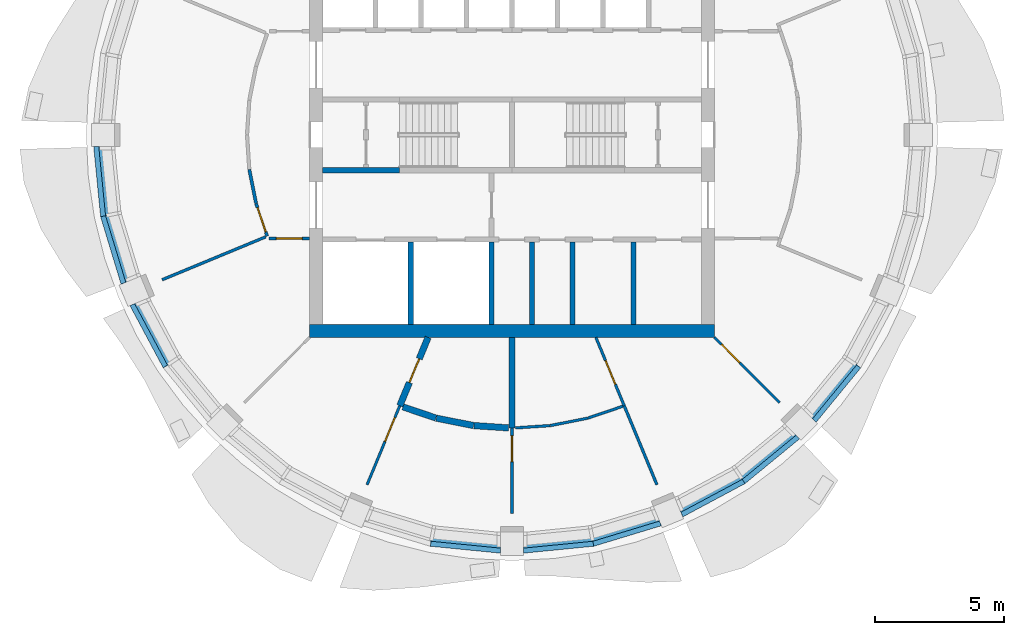
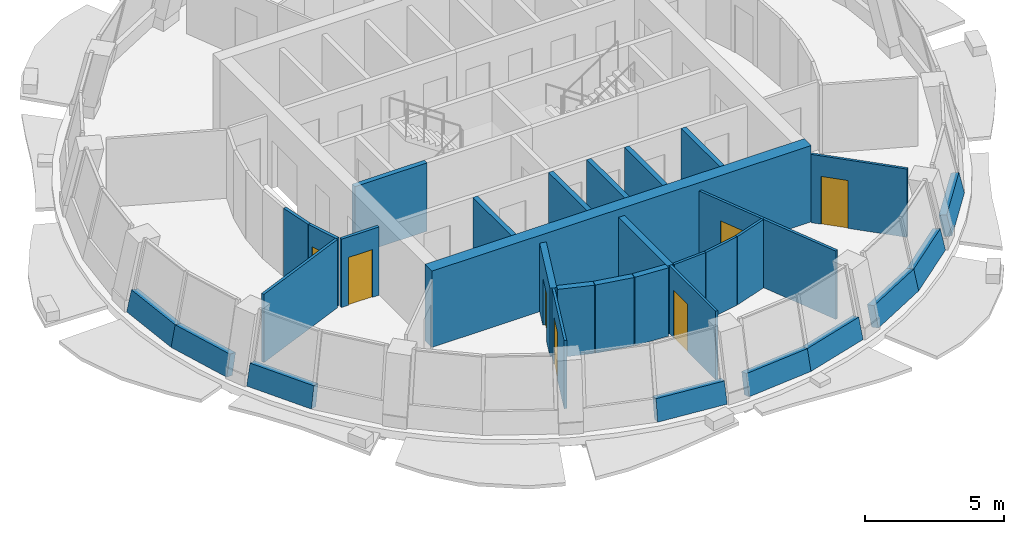
# One storey, part 4 of 11: 33 walls, 7 doors, 7 openings.
"""IFC4 building model written with IfcOpenShell, lengths in metres."""

from ifc_helpers import new_model, si_unit, direction, frame, frame_2d, origin, place, context, subcontext, project, spatial, polyline, rectangle, outline, extrude, material, layer, layer_set, type_object, element, fill, save


model = new_model("IFC4")

# Units and contexts
model_context = context("Model", 3, precision=1e-05, world=origin(), true_north=direction((0.0, 1.0)))
body_context = subcontext(model_context, "Body", "Model", "MODEL_VIEW")
ifc_project = project(units=[si_unit("LENGTHUNIT", "METRE"), si_unit("AREAUNIT", "SQUARE_METRE"), si_unit("VOLUMEUNIT", "CUBIC_METRE"), si_unit("PLANEANGLEUNIT", "RADIAN"), si_unit("MASSUNIT", "GRAM", prefix="KILO")], contexts=[model_context])

# Site, building, storey
site_placement = place(None, origin())
site = spatial("IfcSite", under=ifc_project, at=site_placement, CompositionType="ELEMENT")
building_placement = place(site_placement, origin())
building = spatial("IfcBuilding", under=site, at=building_placement, Name="Polderwave Tower", CompositionType="ELEMENT")
storey_placement = place(building_placement, frame((0.0, 0.0, 214.449951171875)))
storey = spatial("IfcBuildingStorey", under=building, at=storey_placement, Name="L58", CompositionType="ELEMENT", Elevation=214.449951171875)

# Walls
ifc_material_1 = material(Name="Concrete C60/75", Category="concrete")
ifc_layer_1 = layer(ifc_material_1, 0.5)
ifc_layer_set_1 = layer_set([ifc_layer_1], Name="CORE WALL 500 C60/75")
wall_type_1 = type_object("IfcWallType", Name="CORE WALL 500 C60/75", PredefinedType="SHEAR", material=ifc_layer_set_1)
wall_1_placement = place(storey_placement, frame((-7.8740234375, -7.6240234375, 0.0), z_axis=(0.0, 0.0, 1.0), x_axis=(1.0, 0.0, 0.0)))
element("IfcWall", 1, at=wall_1_placement, inside=storey, type_object=wall_type_1, Name="ST-CORE-L58-S", PredefinedType="SHEAR", context=body_context, shape_type="SweptSolid", body=[
    extrude(rectangle(XDim=15.748046875, YDim=0.5, at=frame_2d((7.8740234375, 0.0))), origin(), (0.0, 0.0, 1.0), 3.35009765625),
])
ifc_material_2 = material(Name="Concrete C50/60 (board-marked)", Category="concrete")
ifc_layer_2 = layer(ifc_material_2, 0.300048828125)
ifc_layer_set_2 = layer_set([ifc_layer_2], Name="Concrete spandrel upstand C50/60")
wall_type_2 = type_object("IfcWallType", Name="Concrete spandrel upstand C50/60", PredefinedType="SOLIDWALL", material=ifc_layer_set_2)
wall_2_placement = place(storey_placement, frame((-16.260986328125, -0.452880859375, 0.0), z_axis=(-0.972475963284, -0.095823605844, 0.212387234548), x_axis=(0.098059870947, -0.995180517138, -4.32304e-06)))
element("IfcWall", 2, at=wall_2_placement, inside=storey, type_object=wall_type_2, Name="Spandrel L58 9a", PredefinedType="SOLIDWALL", context=body_context, shape_type="SweptSolid", body=[
    extrude(outline(polyline([(0.0, 0.0), (2.741723969103409, -1.3877787807814457e-17), (2.72248764532599, 0.9211743091072553), (0.01926812916566697, 0.9211502208366106), (0.0, 0.0)])), origin(), (0.0, 0.0, -1.0), 0.300048828125),
])
wall_3_placement = place(storey_placement, frame((-15.9921875, -3.181396484375, 0.0), z_axis=(-0.935080384239, -0.283705614751, 0.212451874952), x_axis=(0.29033326808, -0.956925594519, -1.036426e-06)))
element("IfcWall", 3, at=wall_3_placement, inside=storey, type_object=wall_type_2, Name="Spandrel L58 9b", PredefinedType="SOLIDWALL", context=body_context, shape_type="SweptSolid", body=[
    extrude(outline(polyline([(0.0, 0.0), (2.7413701091415827, 0.0), (2.721915548947118, 0.9211783980205197), (0.019316929233884256, 0.921172623937655), (0.0, 0.0)])), origin(), (0.0, 0.0, -1.0), 0.300048828125),
])
wall_4_placement = place(storey_placement, frame((-14.850341796875, -6.640869140625, 0.0), z_axis=(-0.861652072417, -0.460882647705, 0.212468565072), x_axis=(0.471651621526, -0.881784978275, 9.49098e-07)))
element("IfcWall", 4, at=wall_4_placement, inside=storey, type_object=wall_type_2, Name="Spandrel L58 10a", PredefinedType="SOLIDWALL", context=body_context, shape_type="SweptSolid", body=[
    extrude(outline(polyline([(0.0, 0.0), (2.7418591989936596, 2.7755575615628914e-17), (2.7227801463709156, 0.9211762873854703), (0.019696281501502436, 0.9211815759173496), (0.0, 0.0)])), origin(), (0.0, 0.0, -1.0), 0.300048828125),
])
wall_5_placement = place(storey_placement, frame((-3.181396484375, -15.9921875, 0.0), z_axis=(-0.095777528292, -0.972452991972, 0.212513160717), x_axis=(0.995184694371, -0.098017468169, -4.940706e-06)))
element("IfcWall", 5, at=wall_5_placement, inside=storey, type_object=wall_type_2, Name="Spandrel L58 12b", PredefinedType="SOLIDWALL", context=body_context, shape_type="SweptSolid", body=[
    extrude(outline(polyline([(0.0, 0.0), (2.7417239689303967, 6.938893903907228e-18), (2.7224319045439445, 0.9212018391941157), (0.019236323432608737, 0.921174308599514), (0.0, 0.0)])), origin(), (0.0, 0.0, -1.0), 0.300048828125),
])
wall_6_placement = place(storey_placement, frame((0.452880859375, -16.260986328125, 0.0), z_axis=(0.095823605844, -0.972475963284, 0.212387234548), x_axis=(0.995180517138, 0.098059870947, -4.32304e-06)))
element("IfcWall", 6, at=wall_6_placement, inside=storey, type_object=wall_type_2, Name="Spandrel L58 13a", PredefinedType="SOLIDWALL", context=body_context, shape_type="SweptSolid", body=[
    extrude(outline(polyline([(0.0, 0.0), (2.741723969103409, -1.3877787807814457e-17), (2.72248764532599, 0.9211743091072553), (0.01926812916566697, 0.9211502208366106), (0.0, 0.0)])), origin(), (0.0, 0.0, -1.0), 0.300048828125),
])
wall_7_placement = place(storey_placement, frame((3.181396484375, -15.9921875, 0.0), z_axis=(0.283705614751, -0.935080384239, 0.212451874952), x_axis=(0.956925594519, 0.29033326808, -1.036426e-06)))
element("IfcWall", 7, at=wall_7_placement, inside=storey, type_object=wall_type_2, Name="Spandrel L58 13b", PredefinedType="SOLIDWALL", context=body_context, shape_type="SweptSolid", body=[
    extrude(outline(polyline([(0.0, 0.0), (2.7413701091415827, 0.0), (2.721915548947118, 0.9211783980205197), (0.019316929233884256, 0.921172623937655), (0.0, 0.0)])), origin(), (0.0, 0.0, -1.0), 0.300048828125),
])
wall_8_placement = place(storey_placement, frame((6.640869140625, -14.850341796875, 0.0), z_axis=(0.460882647705, -0.861652072417, 0.212468565072), x_axis=(0.881784978275, 0.471651621526, 9.49098e-07)))
element("IfcWall", 8, at=wall_8_placement, inside=storey, type_object=wall_type_2, Name="Spandrel L58 14a", PredefinedType="SOLIDWALL", context=body_context, shape_type="SweptSolid", body=[
    extrude(outline(polyline([(0.0, 0.0), (2.7418591989936596, 2.7755575615628914e-17), (2.7227801463709156, 0.9211762873854703), (0.019696281501502436, 0.9211815759173496), (0.0, 0.0)])), origin(), (0.0, 0.0, -1.0), 0.300048828125),
])
wall_9_placement = place(storey_placement, frame((9.05859375, -13.55712890625, 0.0), z_axis=(0.619786234014, -0.755471298397, 0.212433851881), x_axis=(0.77311744184, 0.634262895906, -6.31883e-07)))
element("IfcWall", 9, at=wall_9_placement, inside=storey, type_object=wall_type_2, Name="Spandrel L58 14b", PredefinedType="SOLIDWALL", context=body_context, shape_type="SweptSolid", body=[
    extrude(outline(polyline([(0.0, 0.0), (2.741026727762195, 5.551115123125783e-17), (2.721891888042317, 0.9211735773781955), (0.019377518066993598, 0.9211700573549708), (0.0, 0.0)])), origin(), (0.0, 0.0, -1.0), 0.300048828125),
])
wall_10_placement = place(storey_placement, frame((11.818603515625, -11.177734375, 0.0), z_axis=(0.755475436425, -0.619753676079, 0.21251410764), x_axis=(0.6342418971, 0.773134668693, -5.274869e-06)))
element("IfcWall", 10, at=wall_10_placement, inside=storey, type_object=wall_type_2, Name="Spandrel L58 15a", PredefinedType="SOLIDWALL", context=body_context, shape_type="SweptSolid", body=[
    extrude(outline(polyline([(0.0, 0.0), (2.741026726929954, 0.0), (2.7218379603471505, 0.9212029611358797), (0.01913483806120599, 0.9211735749362499), (0.0, 0.0)])), origin(), (0.0, 0.0, -1.0), 0.300048828125),
])
ifc_material_3 = material(Name="Gypsum board partition")
ifc_layer_3 = layer(ifc_material_3, 0.199951171875)
ifc_layer_set_3 = layer_set([ifc_layer_3], Name="Core room partition 200")
wall_type_3 = type_object("IfcWallType", Name="Core room partition 200", PredefinedType="PARTITIONING", material=ifc_layer_set_3)
for number, where, z_axis, x_axis, name in (
    (11, (0.77685546875, -7.3740234375, 0.0), (0.0, 0.0, 1.0), (0.0, 1.0, 0.0), "L58 room partition S1"),
    (12, (2.353515625, -7.3740234375, 0.0), (0.0, 0.0, 1.0), (0.0, 1.0, 0.0), "L58 room partition S2"),
    (13, (4.717041015625, -7.3740234375, 0.0), (0.0, 0.0, 1.0), (0.0, 1.0, 0.0), "L58 room partition S3"),
):
    element("IfcWall", number, at=place(storey_placement, frame(where, z_axis=z_axis, x_axis=x_axis)), inside=storey, type_object=wall_type_3, Name=name, PredefinedType="PARTITIONING", context=body_context, shape_type="SweptSolid", body=[
        extrude(rectangle(XDim=3.199951171875, YDim=0.199951171875, at=frame_2d((1.60009765625, 0.0))), origin(), (0.0, 0.0, 1.0), 3.0),
    ])
ifc_material_4 = material(Name="Concrete C50/60", Category="concrete")
ifc_layer_4 = layer(ifc_material_4, 0.199951171875)
ifc_layer_set_4 = layer_set([ifc_layer_4], Name="Core web wall 200")
wall_type_4 = type_object("IfcWallType", Name="Core web wall 200", PredefinedType="SHEAR", material=ifc_layer_set_4)
wall_11_placement = place(storey_placement, frame((-7.3740234375, -1.375, 0.0), z_axis=(0.0, 0.0, 1.0), x_axis=(1.0, 0.0, 0.0)))
element("IfcWall", 14, at=wall_11_placement, inside=storey, type_object=wall_type_4, Name="L58 south stair wall 1", PredefinedType="SHEAR", context=body_context, shape_type="SweptSolid", body=[
    extrude(rectangle(XDim=3.0, YDim=0.199951171875, at=frame_2d((1.5, 0.0))), origin(), (0.0, 0.0, 1.0), 3.0),
])
ifc_material_5 = material(Name="Fire-resisting board on steel studs", Category="steel")
ifc_layer_5 = layer(ifc_material_5, 0.125)
ifc_layer_set_5 = layer_set([ifc_layer_5], Name="Corridor wall 125 mm EI 60")
wall_type_5 = type_object("IfcWallType", Name="Corridor wall 125 mm EI 60", PredefinedType="PARTITIONING", material=ifc_layer_set_5)
wall_12_placement = place(storey_placement, frame((-9.94970703125, -2.661865234375, 0.0), z_axis=(0.0, 0.0, 1.0), x_axis=(-0.195239630967, 0.980755569191, 0.0)))
element("IfcWall", 15, at=wall_12_placement, inside=storey, type_object=wall_type_5, Name="IN-L58-W013", PredefinedType="PARTITIONING", context=body_context, shape_type="SweptSolid", body=[
    extrude(rectangle(XDim=1.33935546875, YDim=0.125, at=frame_2d((0.669677734375, 0.0))), origin(), (0.0, 0.0, 1.0), 3.0),
])

# Wall, opening, door
wall_13_placement = place(storey_placement, frame((-9.51611328125, -3.941650390625, 0.0), z_axis=(0.0, 0.0, 1.0), x_axis=(-0.321348735565, 0.946960923244, 0.0)))
wall_13 = element("IfcWall", 16, at=wall_13_placement, inside=storey, type_object=wall_type_5, Name="IN-L58-W015", PredefinedType="PARTITIONING", context=body_context, shape_type="SweptSolid", body=[
    extrude(rectangle(XDim=1.34326171875, YDim=0.125, at=frame_2d((0.671630859375, 0.0))), origin(), (0.0, 0.0, 1.0), 3.0),
])
opening_1_placement = place(wall_13_placement, frame((0.171630859375, 0.0, 0.0)))
opening_1 = element("IfcOpeningElement", 17, at=opening_1_placement, cuts=wall_13, Name="Opening L58-D54", PredefinedType="OPENING", context=body_context, shape_type="SweptSolid", body=[
    extrude(rectangle(XDim=1.0, YDim=2.10009765625, at=frame_2d((0.5, 1.050048828125))), frame((0.0, 0.072509765625, 0.0), z_axis=(0.0, -1.0, 0.0), x_axis=(1.0, 0.0, 0.0)), (0.0, 0.0, 1.0), 0.14501953125),
])
ifc_material_6 = material(Name="Timber fire door leaf", Category="wood")
door_type_1 = type_object("IfcDoorType", Name="Fire door FD30S 1000 x 2100", OperationType="NOTDEFINED", PredefinedType="DOOR", material=ifc_material_6)
door_1_placement = place(opening_1_placement, origin())
door_1 = element("IfcDoor", 18, at=door_1_placement, inside=storey, type_object=door_type_1, Name="Door L58-D54", OperationType="SINGLE_SWING_LEFT", OverallHeight=2.10009765625, OverallWidth=1.0, PredefinedType="DOOR", context=body_context, shape_type="SweptSolid", body=[
    extrude(rectangle(XDim=1.0, YDim=2.10009765625, at=frame_2d((0.5, 1.050048828125))), frame((0.0, 0.02490234375, 0.0), z_axis=(0.0, -1.0, 0.0), x_axis=(1.0, 0.0, 0.0)), (0.0, 0.0, 1.0), 0.050048828125),
])
fill(opening_1, door_1)

wall_14_placement = place(storey_placement, frame((-7.8740234375, -4.0244140625, 0.0), z_axis=(0.0, 0.0, 1.0), x_axis=(-1.0, 0.0, 0.0)))
wall_14 = element("IfcWall", 19, at=wall_14_placement, inside=storey, type_object=wall_type_5, Name="IN-L58-W016", PredefinedType="PARTITIONING", context=body_context, shape_type="SweptSolid", body=[
    extrude(rectangle(XDim=1.562255859375, YDim=0.125, at=frame_2d((0.78125, 0.0))), origin(), (0.0, 0.0, 1.0), 3.0),
])
opening_2_placement = place(wall_14_placement, frame((0.281005859375, 0.0, 0.0)))
opening_2 = element("IfcOpeningElement", 20, at=opening_2_placement, cuts=wall_14, Name="Opening L58-D55", PredefinedType="OPENING", context=body_context, shape_type="SweptSolid", body=[
    extrude(rectangle(XDim=1.0, YDim=2.10009765625, at=frame_2d((0.5, 1.050048828125))), frame((0.0, 0.072509765625, 0.0), z_axis=(0.0, -1.0, 0.0), x_axis=(1.0, 0.0, 0.0)), (0.0, 0.0, 1.0), 0.14501953125),
])
door_2_placement = place(opening_2_placement, origin())
door_2 = element("IfcDoor", 21, at=door_2_placement, inside=storey, type_object=door_type_1, Name="Door L58-D55", OperationType="SINGLE_SWING_LEFT", OverallHeight=2.10009765625, OverallWidth=1.0, PredefinedType="DOOR", context=body_context, shape_type="SweptSolid", body=[
    extrude(rectangle(XDim=1.0, YDim=2.10009765625, at=frame_2d((0.5, 1.050048828125))), frame((0.0, 0.02490234375, 0.0), z_axis=(0.0, -1.0, 0.0), x_axis=(1.0, 0.0, 0.0)), (0.0, 0.0, 1.0), 0.050048828125),
])
fill(opening_2, door_2)

ifc_material_7 = material(Name="Plasterboard on steel studs", Category="steel")
ifc_layer_6 = layer(ifc_material_7, 0.10009765625)
ifc_layer_set_6 = layer_set([ifc_layer_6], Name="Partition 100 mm plasterboard on steel studs")
wall_type_6 = type_object("IfcWallType", Name="Partition 100 mm plasterboard on steel studs", PredefinedType="PARTITIONING", material=ifc_layer_set_6)
wall_15_placement = place(storey_placement, frame((-4.362548828125, -10.5322265625, 0.0), z_axis=(0.0, 0.0, 1.0), x_axis=(-0.382672184924, -0.923884191274, 0.0)))
wall_15 = element("IfcWall", 22, at=wall_15_placement, inside=storey, type_object=wall_type_6, Name="IN-L58-W042", PredefinedType="PARTITIONING", context=body_context, shape_type="SweptSolid", body=[
    extrude(rectangle(XDim=3.320068359375, YDim=0.10009765625, at=frame_2d((1.66015625, 0.0))), origin(), (0.0, 0.0, 1.0), 3.0),
])
opening_3_placement = place(wall_15_placement, frame((0.5, 0.0, 0.0)))
opening_3 = element("IfcOpeningElement", 23, at=opening_3_placement, cuts=wall_15, Name="Opening L58-D63", PredefinedType="OPENING", context=body_context, shape_type="SweptSolid", body=[
    extrude(rectangle(XDim=1.0, YDim=2.10009765625, at=frame_2d((0.5, 1.050048828125))), frame((0.0, 0.06005859375, 0.0), z_axis=(0.0, -1.0, 0.0), x_axis=(1.0, 0.0, 0.0)), (0.0, 0.0, 1.0), 0.1201171875),
])
ifc_material_8 = material(Name="Timber veneer door leaf", Category="wood")
door_type_2 = type_object("IfcDoorType", Name="Single door 1000 x 2100", OperationType="NOTDEFINED", PredefinedType="DOOR", material=ifc_material_8)
door_3_placement = place(opening_3_placement, origin())
door_3 = element("IfcDoor", 24, at=door_3_placement, inside=storey, type_object=door_type_2, Name="Door L58-D63", OperationType="SINGLE_SWING_LEFT", OverallHeight=2.10009765625, OverallWidth=1.0, PredefinedType="DOOR", context=body_context, shape_type="SweptSolid", body=[
    extrude(rectangle(XDim=1.0, YDim=2.10009765625, at=frame_2d((0.5, 1.050048828125))), frame((0.0, 0.02490234375, 0.0), z_axis=(0.0, -1.0, 0.0), x_axis=(1.0, 0.0, 0.0)), (0.0, 0.0, 1.0), 0.050048828125),
])
fill(opening_3, door_3)

wall_16_placement = place(storey_placement, frame((0.0, -11.39990234375, 0.0), z_axis=(0.0, 0.0, 1.0), x_axis=(0.0, -1.0, 0.0)))
wall_16 = element("IfcWall", 25, at=wall_16_placement, inside=storey, type_object=wall_type_6, Name="IN-L58-W043", PredefinedType="PARTITIONING", context=body_context, shape_type="SweptSolid", body=[
    extrude(rectangle(XDim=3.320068359375, YDim=0.10009765625, at=frame_2d((1.66015625, 0.0))), origin(), (0.0, 0.0, 1.0), 3.0),
])
opening_4_placement = place(wall_16_placement, frame((0.300048828125, 0.0, 0.0)))
opening_4 = element("IfcOpeningElement", 26, at=opening_4_placement, cuts=wall_16, Name="Opening L58-D64", PredefinedType="OPENING", context=body_context, shape_type="SweptSolid", body=[
    extrude(rectangle(XDim=1.0, YDim=2.10009765625, at=frame_2d((0.5, 1.050048828125))), frame((0.0, 0.06005859375, 0.0), z_axis=(0.0, -1.0, 0.0), x_axis=(1.0, 0.0, 0.0)), (0.0, 0.0, 1.0), 0.1201171875),
])
door_4_placement = place(opening_4_placement, origin())
door_4 = element("IfcDoor", 27, at=door_4_placement, inside=storey, type_object=door_type_2, Name="Door L58-D64", OperationType="SINGLE_SWING_LEFT", OverallHeight=2.10009765625, OverallWidth=1.0, PredefinedType="DOOR", context=body_context, shape_type="SweptSolid", body=[
    extrude(rectangle(XDim=1.0, YDim=2.10009765625, at=frame_2d((0.5, 1.050048828125))), frame((0.0, 0.02490234375, 0.0), z_axis=(0.0, -1.0, 0.0), x_axis=(1.0, 0.0, 0.0)), (0.0, 0.0, 1.0), 0.050048828125),
])
fill(opening_4, door_4)

wall_17_placement = place(storey_placement, frame((10.40869140625, -10.40869140625, 0.0), z_axis=(0.0, 0.0, 1.0), x_axis=(-0.707106781187, 0.707106781187, 0.0)))
wall_17 = element("IfcWall", 28, at=wall_17_placement, inside=storey, type_object=wall_type_6, Name="IN-L58-W049", PredefinedType="PARTITIONING", context=body_context, shape_type="SweptSolid", body=[
    extrude(rectangle(XDim=3.58447265625, YDim=0.10009765625, at=frame_2d((1.792236328125, 0.0))), origin(), (0.0, 0.0, 1.0), 3.0),
])
opening_5_placement = place(wall_17_placement, frame((2.199951171875, 0.0, 0.0)))
opening_5 = element("IfcOpeningElement", 29, at=opening_5_placement, cuts=wall_17, Name="Opening L58-D66", PredefinedType="OPENING", context=body_context, shape_type="SweptSolid", body=[
    extrude(rectangle(XDim=1.0, YDim=2.10009765625, at=frame_2d((0.5, 1.050048828125))), frame((0.0, 0.06005859375, 0.0), z_axis=(0.0, -1.0, 0.0), x_axis=(1.0, 0.0, 0.0)), (0.0, 0.0, 1.0), 0.1201171875),
])
door_5_placement = place(opening_5_placement, origin())
door_5 = element("IfcDoor", 30, at=door_5_placement, inside=storey, type_object=door_type_2, Name="Door L58-D66", OperationType="SINGLE_SWING_RIGHT", OverallHeight=2.10009765625, OverallWidth=1.0, PredefinedType="DOOR", context=body_context, shape_type="SweptSolid", body=[
    extrude(rectangle(XDim=1.0, YDim=2.10009765625, at=frame_2d((0.5, 1.050048828125))), frame((0.0, 0.02490234375, 0.0), z_axis=(0.0, -1.0, 0.0), x_axis=(1.0, 0.0, 0.0)), (0.0, 0.0, 1.0), 0.050048828125),
])
fill(opening_5, door_5)

# Walls
ifc_material_9 = material(Name="Moisture-resistant board on steel studs, tiled", Category="steel")
ifc_layer_7 = layer(ifc_material_9, 0.10498046875)
ifc_layer_set_7 = layer_set([ifc_layer_7], Name="Partition 105 mm wet room board and tile")
wall_type_7 = type_object("IfcWallType", Name="Partition 105 mm wet room board and tile", PredefinedType="PARTITIONING", material=ifc_layer_set_7)
wall_18_placement = place(storey_placement, frame((1.484619140625, -11.302734375, 0.0), z_axis=(0.0, 0.0, 1.0), x_axis=(-0.997860024345, -0.065386327428, 0.0)))
element("IfcWall", 31, at=wall_18_placement, inside=storey, type_object=wall_type_7, Name="IN-L58-W044", PredefinedType="PARTITIONING", context=body_context, shape_type="SweptSolid", body=[
    extrude(rectangle(XDim=1.359130859375, YDim=0.10498046875, at=frame_2d((0.6796875, 0.0))), origin(), (0.0, 0.0, 1.0), 3.0),
])
wall_19_placement = place(storey_placement, frame((2.947021484375, -11.01220703125, 0.0), z_axis=(0.0, 0.0, 1.0), x_axis=(-0.980782621603, -0.195103688229, 0.0)))
element("IfcWall", 32, at=wall_19_placement, inside=storey, type_object=wall_type_7, Name="IN-L58-W045", PredefinedType="PARTITIONING", context=body_context, shape_type="SweptSolid", body=[
    extrude(rectangle(XDim=1.484130859375, YDim=0.10498046875, at=frame_2d((0.7421875, 0.0))), origin(), (0.0, 0.0, 1.0), 3.0),
])
wall_20_placement = place(storey_placement, frame((4.30712890625, -10.551025390625, 0.0), z_axis=(0.0, 0.0, 1.0), x_axis=(-0.946909066327, -0.321501508719, 0.0)))
element("IfcWall", 33, at=wall_20_placement, inside=storey, type_object=wall_type_7, Name="IN-L58-W046", PredefinedType="PARTITIONING", context=body_context, shape_type="SweptSolid", body=[
    extrude(rectangle(XDim=1.42919921875, YDim=0.10498046875, at=frame_2d((0.714599609375, 0.0))), origin(), (0.0, 0.0, 1.0), 3.0),
])

# Wall, opening, door
wall_21_placement = place(storey_placement, frame((4.362548828125, -10.5322265625, 0.0), z_axis=(0.0, 0.0, 1.0), x_axis=(-0.382686527355, 0.923878250519, 0.0)))
wall_21 = element("IfcWall", 34, at=wall_21_placement, inside=storey, type_object=wall_type_7, Name="IN-L58-W047", PredefinedType="PARTITIONING", context=body_context, shape_type="SweptSolid", body=[
    extrude(rectangle(XDim=2.877197265625, YDim=0.10498046875, at=frame_2d((1.4384765625, 0.0))), origin(), (0.0, 0.0, 1.0), 3.0),
])
opening_6_placement = place(wall_21_placement, frame((0.89990234375, 0.0, 0.0)))
opening_6 = element("IfcOpeningElement", 35, at=opening_6_placement, cuts=wall_21, Name="Opening L58-D65", PredefinedType="OPENING", context=body_context, shape_type="SweptSolid", body=[
    extrude(rectangle(XDim=1.0, YDim=2.10009765625, at=frame_2d((0.5, 1.050048828125))), frame((0.0, 0.0625, 0.0), z_axis=(0.0, -1.0, 0.0), x_axis=(1.0, 0.0, 0.0)), (0.0, 0.0, 1.0), 0.125),
])
door_6_placement = place(opening_6_placement, origin())
door_6 = element("IfcDoor", 36, at=door_6_placement, inside=storey, type_object=door_type_2, Name="Door L58-D65", OperationType="SINGLE_SWING_LEFT", OverallHeight=2.10009765625, OverallWidth=1.0, PredefinedType="DOOR", context=body_context, shape_type="SweptSolid", body=[
    extrude(rectangle(XDim=1.0, YDim=2.10009765625, at=frame_2d((0.5, 1.050048828125))), frame((0.0, 0.02490234375, 0.0), z_axis=(0.0, -1.0, 0.0), x_axis=(1.0, 0.0, 0.0)), (0.0, 0.0, 1.0), 0.050048828125),
])
fill(opening_6, door_6)

# Walls
ifc_material_10 = material(Name="Acoustic double plasterboard on steel studs", Category="steel")
ifc_layer_8 = layer(ifc_material_10, 0.110107421875)
ifc_layer_set_8 = layer_set([ifc_layer_8], Name="Partition 110 mm acoustic double board")
wall_type_8 = type_object("IfcWallType", Name="Partition 110 mm acoustic double board", PredefinedType="PARTITIONING", material=ifc_layer_set_8)
wall_22_placement = place(storey_placement, frame((-9.5771484375, -3.967041015625, 0.0), z_axis=(0.0, 0.0, 1.0), x_axis=(-0.923891083487, -0.382655544654, 0.0)))
element("IfcWall", 37, at=wall_22_placement, inside=storey, type_object=wall_type_8, Name="IN-L58-W035", PredefinedType="PARTITIONING", context=body_context, shape_type="SweptSolid", body=[
    extrude(rectangle(XDim=4.353759765625, YDim=0.110107421875, at=frame_2d((2.1767578125, 0.0))), origin(), (0.0, 0.0, 1.0), 3.0),
])
wall_23_placement = place(storey_placement, frame((4.362548828125, -10.5322265625, 0.0), z_axis=(0.0, 0.0, 1.0), x_axis=(0.382672184924, -0.923884191274, 0.0)))
element("IfcWall", 38, at=wall_23_placement, inside=storey, type_object=wall_type_8, Name="IN-L58-W048", PredefinedType="PARTITIONING", context=body_context, shape_type="SweptSolid", body=[
    extrude(rectangle(XDim=3.320068359375, YDim=0.110107421875, at=frame_2d((1.66015625, 0.0))), origin(), (0.0, 0.0, 1.0), 3.0),
])
ifc_material_11 = material(Name="Fire-resisting board on steel studs, mineral wool", Category="steel")
ifc_layer_9 = layer(ifc_material_11, 0.25)
ifc_layer_set_9 = layer_set([ifc_layer_9], Name="Plant room wall 250 mm EI 120")
wall_type_9 = type_object("IfcWallType", Name="Plant room wall 250 mm EI 120", PredefinedType="PARTITIONING", material=ifc_layer_set_9)
wall_24_placement = place(storey_placement, frame((-2.958251953125, -11.009033203125, 0.0), z_axis=(0.0, 0.0, 1.0), x_axis=(-0.946913805822, 0.321487549283, 0.0)))
element("IfcWall", 39, at=wall_24_placement, inside=storey, type_object=wall_type_9, Name="IN-L58-W037", PredefinedType="PARTITIONING", context=body_context, shape_type="SweptSolid", body=[
    extrude(rectangle(XDim=1.349365234375, YDim=0.25, at=frame_2d((0.6748046875, 0.0))), origin(), (0.0, 0.0, 1.0), 3.0),
])
wall_25_placement = place(storey_placement, frame((-1.49609375, -11.30078125, 0.0), z_axis=(0.0, 0.0, 1.0), x_axis=(-0.980796583917, 0.195033486809, 0.0)))
element("IfcWall", 40, at=wall_25_placement, inside=storey, type_object=wall_type_9, Name="IN-L58-W038", PredefinedType="PARTITIONING", context=body_context, shape_type="SweptSolid", body=[
    extrude(rectangle(XDim=1.474609375, YDim=0.25, at=frame_2d((0.7373046875, 0.0))), origin(), (0.0, 0.0, 1.0), 3.0),
])
wall_26_placement = place(storey_placement, frame((-0.13330078125, -11.391357421875, 0.0), z_axis=(0.0, 0.0, 1.0), x_axis=(-0.997852686239, 0.065498218027, 0.0)))
element("IfcWall", 41, at=wall_26_placement, inside=storey, type_object=wall_type_9, Name="IN-L58-W039", PredefinedType="PARTITIONING", context=body_context, shape_type="SweptSolid", body=[
    extrude(rectangle(XDim=1.349365234375, YDim=0.25, at=frame_2d((0.6748046875, 0.0))), origin(), (0.0, 0.0, 1.0), 3.0),
])

# Wall, opening, door
wall_27_placement = place(storey_placement, frame((-3.261474609375, -7.8740234375, 0.0), z_axis=(0.0, 0.0, 1.0), x_axis=(-0.382686527355, -0.923878250519, 0.0)))
wall_27 = element("IfcWall", 42, at=wall_27_placement, inside=storey, type_object=wall_type_9, Name="IN-L58-W040", PredefinedType="PARTITIONING", context=body_context, shape_type="SweptSolid", body=[
    extrude(rectangle(XDim=2.877197265625, YDim=0.25, at=frame_2d((1.4384765625, 0.0))), origin(), (0.0, 0.0, 1.0), 3.0),
])
opening_7_placement = place(wall_27_placement, frame((0.89990234375, 0.0, 0.0)))
opening_7 = element("IfcOpeningElement", 43, at=opening_7_placement, cuts=wall_27, Name="Opening L58-D62", PredefinedType="OPENING", context=body_context, shape_type="SweptSolid", body=[
    extrude(rectangle(XDim=1.0, YDim=2.10009765625, at=frame_2d((0.5, 1.050048828125))), frame((0.0, 0.135009765625, 0.0), z_axis=(0.0, -1.0, 0.0), x_axis=(1.0, 0.0, 0.0)), (0.0, 0.0, 1.0), 0.27001953125),
])
ifc_material_12 = material(Name="Steel plant door leaf", Category="steel")
door_type_3 = type_object("IfcDoorType", Name="Plant door FD60 1000 x 2100 steel", OperationType="NOTDEFINED", PredefinedType="DOOR", material=ifc_material_12)
door_7_placement = place(opening_7_placement, origin())
door_7 = element("IfcDoor", 44, at=door_7_placement, inside=storey, type_object=door_type_3, Name="Door L58-D62", OperationType="SINGLE_SWING_LEFT", OverallHeight=2.10009765625, OverallWidth=1.0, PredefinedType="DOOR", context=body_context, shape_type="SweptSolid", body=[
    extrude(rectangle(XDim=1.0, YDim=2.10009765625, at=frame_2d((0.5, 1.050048828125))), frame((0.0, 0.02490234375, 0.0), z_axis=(0.0, -1.0, 0.0), x_axis=(1.0, 0.0, 0.0)), (0.0, 0.0, 1.0), 0.050048828125),
])
fill(opening_7, door_7)

# Walls
wall_28_placement = place(storey_placement, frame((0.0, -7.8740234375, 0.0), z_axis=(0.0, 0.0, 1.0), x_axis=(0.0, -1.0, 0.0)))
element("IfcWall", 45, at=wall_28_placement, inside=storey, type_object=wall_type_9, Name="IN-L58-W041", PredefinedType="PARTITIONING", context=body_context, shape_type="SweptSolid", body=[
    extrude(rectangle(XDim=3.52587890625, YDim=0.25, at=frame_2d((1.762939453125, 0.0))), origin(), (0.0, 0.0, 1.0), 3.0),
])
ifc_material_13 = material(Name="Gypsum shaft wall system")
ifc_layer_10 = layer(ifc_material_13, 0.199951171875)
ifc_layer_set_10 = layer_set([ifc_layer_10], Name="Shaft wall 200")
wall_type_10 = type_object("IfcWallType", Name="Shaft wall 200", PredefinedType="PARTITIONING", material=ifc_layer_set_10)
for number, where, z_axis, x_axis, name in (
    (46, (-3.93701171875, -7.3740234375, 0.0), (0.0, 0.0, 1.0), (0.0, 1.0, 0.0), "L58 fire-fighting shaft wall 1"),
    (47, (-0.800048828125, -7.3740234375, 0.0), (0.0, 0.0, 1.0), (0.0, 1.0, 0.0), "L58 fire-fighting shaft wall 2"),
):
    element("IfcWall", number, at=place(storey_placement, frame(where, z_axis=z_axis, x_axis=x_axis)), inside=storey, type_object=wall_type_10, Name=name, PredefinedType="PARTITIONING", context=body_context, shape_type="SweptSolid", body=[
        extrude(rectangle(XDim=3.199951171875, YDim=0.199951171875, at=frame_2d((1.60009765625, 0.0))), origin(), (0.0, 0.0, 1.0), 3.0),
    ])

save(model, "model.ifc")
